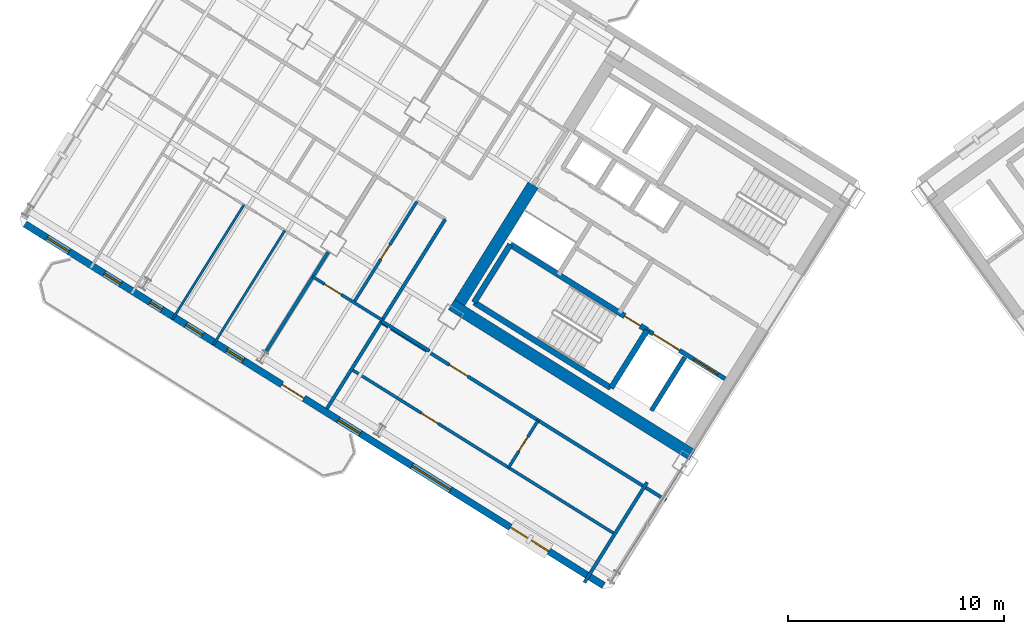
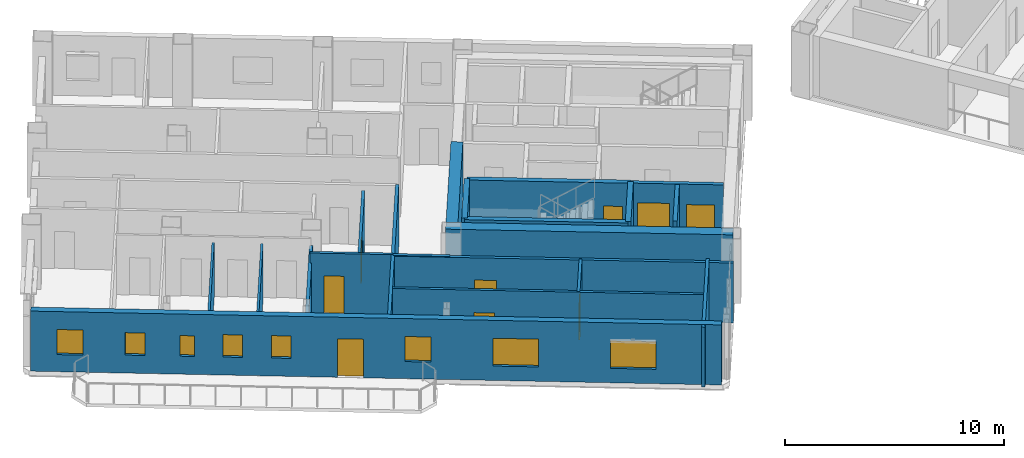
# One storey, part 10 of 19: 20 walls, 9 doors, 8 windows, 17 openings.
"""IFC4 building model written with IfcOpenShell, lengths in metres."""

from ifc_helpers import new_model, si_unit, direction, frame, frame_2d, origin, place, context, subcontext, project, spatial, rectangle, extrude, source, transform, mapped, material, layer, layer_set, type_object, element, fill, save


model = new_model("IFC4")

# Units and contexts
model_context = context("Model", 3, precision=1e-05, world=origin(), true_north=direction((0.0, 1.0)))
body_context = subcontext(model_context, "Body", "Model", "MODEL_VIEW")
ifc_project = project(units=[si_unit("LENGTHUNIT", "METRE"), si_unit("AREAUNIT", "SQUARE_METRE"), si_unit("VOLUMEUNIT", "CUBIC_METRE"), si_unit("PLANEANGLEUNIT", "RADIAN"), si_unit("MASSUNIT", "GRAM", prefix="KILO")], contexts=[model_context])

# Site, building, storey
site_placement = place(None, origin())
site = spatial("IfcSite", under=ifc_project, at=site_placement, CompositionType="ELEMENT")
building_placement = place(site_placement, origin())
building = spatial("IfcBuilding", under=site, at=building_placement, Name="Tlacorven Tower", CompositionType="ELEMENT")
storey_placement = place(building_placement, frame((0.0, 0.0, 147.89990234375)))
storey = spatial("IfcBuildingStorey", under=building, at=storey_placement, Name="L37", CompositionType="ELEMENT", Elevation=147.89990234375)

# Walls
ifc_material_1 = material(Name="Concrete C60/75", Category="concrete")
ifc_layer_1 = layer(ifc_material_1, 0.550048828125)
ifc_layer_set_1 = layer_set([ifc_layer_1], Name="Concrete C60/75")
wall_type_1 = type_object("IfcWallType", Name="WL-COR-550", PredefinedType="SHEAR", material=ifc_layer_set_1)
wall_1_placement = place(storey_placement, frame((33.3662109375, 12.4765625, 0.0), z_axis=(0.0, 0.0, 1.0), x_axis=(-0.848047359947, 0.529920442413, 0.0)))
element("IfcWall", 1, at=wall_1_placement, inside=storey, type_object=wall_type_1, Name="L37 W core shear wall S2", PredefinedType="SHEAR", context=body_context, shape_type="SweptSolid", body=[
    extrude(rectangle(XDim=13.139892578125, YDim=0.550048828125, at=frame_2d((6.56982421875, 0.0))), origin(), (0.0, 0.0, 1.0), 3.35009765625),
])
wall_2_placement = place(storey_placement, frame((26.006591796875, 24.975830078125, 0.0), z_axis=(0.0, 0.0, 1.0), x_axis=(-0.529923795287, -0.848045264823, 0.0)))
element("IfcWall", 2, at=wall_2_placement, inside=storey, type_object=wall_type_1, Name="L37 W core end wall E2.2", PredefinedType="SHEAR", context=body_context, shape_type="SweptSolid", body=[
    extrude(rectangle(XDim=6.425048828125, YDim=0.550048828125, at=frame_2d((3.21240234375, 0.0))), origin(), (0.0, 0.0, 1.0), 3.35009765625),
])
ifc_material_2 = material(Name="Gypsum plasterboard acoustic partition", Category="gypsum")
ifc_layer_2 = layer(ifc_material_2, 0.159912109375)
ifc_layer_set_2 = layer_set([ifc_layer_2], Name="Gypsum plasterboard acoustic partition")
wall_type_2 = type_object("IfcWallType", Name="WL-DEM-160", PredefinedType="PARTITIONING", material=ifc_layer_set_2)
wall_3_placement = place(storey_placement, frame((21.20556640625, 17.29248046875, 0.0), z_axis=(0.0, 0.0, 1.0), x_axis=(-0.848050851465, 0.529914854792, 0.0)))
element("IfcWall", 3, at=wall_3_placement, inside=storey, type_object=wall_type_2, Name="L37 partition 47", PredefinedType="PARTITIONING", context=body_context, shape_type="SweptSolid", body=[
    extrude(rectangle(XDim=2.60986328125, YDim=0.159912109375, at=frame_2d((1.304931640625, 0.0))), origin(), (0.0, 0.0, 1.0), 3.340087890625),
])
wall_4_placement = place(storey_placement, frame((21.9384765625, 23.390625, 0.0), z_axis=(0.0, 0.0, 1.0), x_axis=(-0.529924725692, -0.848044683434, 0.0)))
element("IfcWall", 4, at=wall_4_placement, inside=storey, type_object=wall_type_2, Name="L37 partition 49", PredefinedType="PARTITIONING", context=body_context, shape_type="SweptSolid", body=[
    extrude(rectangle(XDim=10.349853515625, YDim=0.159912109375, at=frame_2d((5.1748046875, 0.0))), origin(), (0.0, 0.0, 1.0), 3.340087890625),
])
wall_5_placement = place(storey_placement, frame((16.518798828125, 21.86962890625, 0.0), z_axis=(0.0, 0.0, 1.0), x_axis=(-0.529922447305, -0.848046107144, 0.0)))
element("IfcWall", 5, at=wall_5_placement, inside=storey, type_object=wall_type_2, Name="L37 WN Demising Wall 1", PredefinedType="PARTITIONING", context=body_context, shape_type="SweptSolid", body=[
    extrude(rectangle(XDim=5.451171875, YDim=0.159912109375, at=frame_2d((2.7255859375, 0.0))), origin(), (0.0, 0.0, 1.0), 2.775146484375),
])

# Wall, opening, door
wall_6_placement = place(storey_placement, frame((32.164306640625, 10.373779296875, 0.0), z_axis=(0.0, 0.0, 1.0), x_axis=(-0.848044107957, 0.529925646633, 0.0)))
wall_6 = element("IfcWall", 6, at=wall_6_placement, inside=storey, type_object=wall_type_2, Name="L37 partition 71", PredefinedType="PARTITIONING", context=body_context, shape_type="SweptSolid", body=[
    extrude(rectangle(XDim=15.570068359375, YDim=0.159912109375, at=frame_2d((7.78515625, 0.0))), origin(), (0.0, 0.0, 1.0), 3.340087890625),
])
opening_1_placement = place(wall_6_placement, frame((10.830078125, 0.0, 0.0)))
opening_1 = element("IfcOpeningElement", 7, at=opening_1_placement, cuts=wall_6, Name="Opening D11", PredefinedType="OPENING", context=body_context, shape_type="SweptSolid", body=[
    extrude(rectangle(XDim=1.0, YDim=2.10009765625, at=frame_2d((0.5, 1.050048828125))), frame((0.0, 0.08984375, 0.0), z_axis=(0.0, -1.0, 0.0), x_axis=(1.0, 0.0, 0.0)), (0.0, 0.0, 1.0), 0.179931640625),
])
ifc_material_3 = material(Name="Fire-rated steel door assembly", Category="steel")
door_type_1 = type_object("IfcDoorType", Name="DR-FLT-FD60-1000", OperationType="NOTDEFINED", PredefinedType="DOOR", material=ifc_material_3)
shared_shape_1 = source(origin(), body_context, "Body", "SweptSolid", [
    extrude(rectangle(XDim=1.0, YDim=2.10009765625, at=frame_2d((0.5, 1.050048828125))), frame((0.0, 0.02490234375, 0.0), z_axis=(0.0, -1.0, 0.0), x_axis=(1.0, 0.0, 0.0)), (0.0, 0.0, 1.0), 0.050048828125),
])
door_1_placement = place(opening_1_placement, origin())
door_1 = element("IfcDoor", 8, at=door_1_placement, inside=storey, type_object=door_type_1, Name="L37 door 045", OperationType="SINGLE_SWING_LEFT", OverallHeight=2.10009765625, OverallWidth=1.0, PredefinedType="DOOR", context=body_context, shape_type="MappedRepresentation", body=[
    mapped(shared_shape_1, transform((0.0, 0.0, 0.0), scale=1.0)),
])
fill(opening_1, door_1)

# Wall
wall_7_placement = place(storey_placement, frame((31.282470703125, 11.2080078125, 0.0), z_axis=(0.0, 0.0, 1.0), x_axis=(-0.529938869374, -0.84803584519, 0.0)))
element("IfcWall", 9, at=wall_7_placement, inside=storey, type_object=wall_type_2, Name="L37 WC West Throat Wall", PredefinedType="PARTITIONING", context=body_context, shape_type="SweptSolid", body=[
    extrude(rectangle(XDim=5.47998046875, YDim=0.159912109375, at=frame_2d((2.739990234375, 0.0))), origin(), (0.0, 0.0, 1.0), 3.340087890625),
])

# Wall, openings, door, windows
ifc_material_4 = material(Name="Precast concrete C45/55", Category="concrete")
ifc_layer_3 = layer(ifc_material_4, 0.320068359375)
ifc_layer_set_3 = layer_set([ifc_layer_3], Name="Precast concrete C45/55")
wall_type_3 = type_object("IfcWallType", Name="WL-EXT-320", PredefinedType="STANDARD", material=ifc_layer_set_3)
wall_8_placement = place(storey_placement, frame((29.267822265625, 6.429443359375, 0.0), z_axis=(0.0, 0.0, 1.0), x_axis=(-0.848049971435, 0.529916263149, 0.0)))
wall_8 = element("IfcWall", 10, at=wall_8_placement, inside=storey, type_object=wall_type_3, Name="L37 Masonry-Frame Recessed Facade Wall 1", PredefinedType="STANDARD", context=body_context, shape_type="SweptSolid", body=[
    extrude(rectangle(XDim=31.587646484375, YDim=0.320068359375, at=frame_2d((15.7939453125, 0.0))), origin(), (0.0, 0.0, 1.0), 3.35009765625),
])
opening_2_placement = place(wall_8_placement, frame((16.36181640625, 0.0, 0.0)))
opening_2 = element("IfcOpeningElement", 11, at=opening_2_placement, cuts=wall_8, Name="Opening D05", PredefinedType="OPENING", context=body_context, shape_type="SweptSolid", body=[
    extrude(rectangle(XDim=1.199951171875, YDim=2.14990234375, at=frame_2d((0.60009765625, 1.074951171875))), frame((0.0, 0.169921875, 0.0), z_axis=(0.0, -1.0, 0.0), x_axis=(1.0, 0.0, 0.0)), (0.0, 0.0, 1.0), 0.340087890625),
])
opening_3_placement = place(wall_8_placement, frame((2.98876953125, 0.0, 0.800048828125)))
opening_3 = element("IfcOpeningElement", 12, at=opening_3_placement, cuts=wall_8, Name="Opening WN04", PredefinedType="OPENING", context=body_context, shape_type="SweptSolid", body=[
    extrude(rectangle(XDim=2.10009765625, YDim=1.550048828125, at=frame_2d((1.050048828125, 0.77490234375))), frame((0.0, 0.169921875, 0.0), z_axis=(0.0, -1.0, 0.0), x_axis=(1.0, 0.0, 0.0)), (0.0, 0.0, 1.0), 0.340087890625),
])
opening_4_placement = place(wall_8_placement, frame((8.358642578125, 0.0, 0.800048828125)))
opening_4 = element("IfcOpeningElement", 13, at=opening_4_placement, cuts=wall_8, Name="Opening WN04", PredefinedType="OPENING", context=body_context, shape_type="SweptSolid", body=[
    extrude(rectangle(XDim=2.10009765625, YDim=1.550048828125, at=frame_2d((1.050048828125, 0.77490234375))), frame((0.0, 0.169921875, 0.0), z_axis=(0.0, -1.0, 0.0), x_axis=(1.0, 0.0, 0.0)), (0.0, 0.0, 1.0), 0.340087890625),
])
opening_5_placement = place(wall_8_placement, frame((13.28369140625, 0.0, 0.949951171875)))
opening_5 = element("IfcOpeningElement", 14, at=opening_5_placement, cuts=wall_8, Name="Opening WN03", PredefinedType="OPENING", context=body_context, shape_type="SweptSolid", body=[
    extrude(rectangle(XDim=1.199951171875, YDim=1.39990234375, at=frame_2d((0.60009765625, 0.699951171875))), frame((0.0, 0.169921875, 0.0), z_axis=(0.0, -1.0, 0.0), x_axis=(1.0, 0.0, 0.0)), (0.0, 0.0, 1.0), 0.340087890625),
])
opening_6_placement = place(wall_8_placement, frame((29.18798828125, 0.0, 0.949951171875)))
opening_6 = element("IfcOpeningElement", 15, at=opening_6_placement, cuts=wall_8, Name="Opening WN03", PredefinedType="OPENING", context=body_context, shape_type="SweptSolid", body=[
    extrude(rectangle(XDim=1.199951171875, YDim=1.39990234375, at=frame_2d((0.60009765625, 0.699951171875))), frame((0.0, 0.169921875, 0.0), z_axis=(0.0, -1.0, 0.0), x_axis=(1.0, 0.0, 0.0)), (0.0, 0.0, 1.0), 0.340087890625),
])
opening_7_placement = place(wall_8_placement, frame((19.673583984375, 0.0, 1.0)))
opening_7 = element("IfcOpeningElement", 16, at=opening_7_placement, cuts=wall_8, Name="Opening WN05", PredefinedType="OPENING", context=body_context, shape_type="SweptSolid", body=[
    extrude(rectangle(XDim=0.89990234375, YDim=1.25, at=frame_2d((0.449951171875, 0.625))), frame((0.0, 0.169921875, 0.0), z_axis=(0.0, -1.0, 0.0), x_axis=(1.0, 0.0, 0.0)), (0.0, 0.0, 1.0), 0.340087890625),
])
opening_8_placement = place(wall_8_placement, frame((21.896240234375, 0.0, 1.0)))
opening_8 = element("IfcOpeningElement", 17, at=opening_8_placement, cuts=wall_8, Name="Opening WN05", PredefinedType="OPENING", context=body_context, shape_type="SweptSolid", body=[
    extrude(rectangle(XDim=0.89990234375, YDim=1.25, at=frame_2d((0.449951171875, 0.625))), frame((0.0, 0.169921875, 0.0), z_axis=(0.0, -1.0, 0.0), x_axis=(1.0, 0.0, 0.0)), (0.0, 0.0, 1.0), 0.340087890625),
])
opening_9_placement = place(wall_8_placement, frame((24.106201171875, 0.0, 1.0)))
opening_9 = element("IfcOpeningElement", 18, at=opening_9_placement, cuts=wall_8, Name="Opening WN21", PredefinedType="OPENING", context=body_context, shape_type="SweptSolid", body=[
    extrude(rectangle(XDim=0.64990234375, YDim=1.14990234375, at=frame_2d((0.324951171875, 0.574951171875))), frame((0.0, 0.169921875, 0.0), z_axis=(0.0, -1.0, 0.0), x_axis=(1.0, 0.0, 0.0)), (0.0, 0.0, 1.0), 0.340087890625),
])
opening_10_placement = place(wall_8_placement, frame((26.3662109375, 0.0, 1.0)))
opening_10 = element("IfcOpeningElement", 19, at=opening_10_placement, cuts=wall_8, Name="Opening WN05", PredefinedType="OPENING", context=body_context, shape_type="SweptSolid", body=[
    extrude(rectangle(XDim=0.89990234375, YDim=1.25, at=frame_2d((0.449951171875, 0.625))), frame((0.0, 0.169921875, 0.0), z_axis=(0.0, -1.0, 0.0), x_axis=(1.0, 0.0, 0.0)), (0.0, 0.0, 1.0), 0.340087890625),
])
ifc_material_5 = material(Name="Powder-coated aluminium and timber door", Category="wood")
door_type_2 = type_object("IfcDoorType", Name="DR-EXT-BALC-1200", OperationType="NOTDEFINED", PredefinedType="DOOR", material=ifc_material_5)
shared_shape_2 = source(origin(), body_context, "Body", "SweptSolid", [
    extrude(rectangle(XDim=1.199951171875, YDim=2.14990234375, at=frame_2d((0.60009765625, 1.074951171875))), frame((0.0, 0.02490234375, 0.0), z_axis=(0.0, -1.0, 0.0), x_axis=(1.0, 0.0, 0.0)), (0.0, 0.0, 1.0), 0.050048828125),
])
door_2_placement = place(opening_2_placement, origin())
door_2 = element("IfcDoor", 20, at=door_2_placement, inside=storey, type_object=door_type_2, Name="L37 Outdoor Access Door BAL-L37-W-OUT", OperationType="SINGLE_SWING_LEFT", OverallHeight=2.14990234375, OverallWidth=1.199951171875, PredefinedType="DOOR", context=body_context, shape_type="MappedRepresentation", body=[
    mapped(shared_shape_2, transform((0.0, 0.0, 0.0), scale=1.0)),
])
fill(opening_2, door_2)
ifc_material_6 = material(Name="Dark solar low-E double glazing in anodised aluminium frame", Category="aluminium")
window_type_1 = type_object("IfcWindowType", Name="WN-APT-2100X1750", PartitioningType="SINGLE_PANEL", PredefinedType="WINDOW", material=ifc_material_6)
shared_shape_3 = source(origin(), body_context, "Body", "SweptSolid", [
    extrude(rectangle(XDim=2.10009765625, YDim=1.550048828125, at=frame_2d((1.050048828125, 0.77490234375))), frame((0.0, 0.030029296875, 0.0), z_axis=(0.0, -1.0, 0.0), x_axis=(1.0, 0.0, 0.0)), (0.0, 0.0, 1.0), 0.06005859375),
])
window_1_placement = place(opening_3_placement, origin())
window_1 = element("IfcWindow", 21, at=window_1_placement, inside=storey, type_object=window_type_1, Name="L37 Recessed Masonry-Frame Window L37-01.1", OverallHeight=1.550048828125, OverallWidth=2.10009765625, PartitioningType="SINGLE_PANEL", PredefinedType="WINDOW", context=body_context, shape_type="MappedRepresentation", body=[
    mapped(shared_shape_3, transform((0.0, 0.0, 0.0), scale=1.0)),
])
fill(opening_3, window_1)
window_2_placement = place(opening_4_placement, origin())
window_2 = element("IfcWindow", 22, at=window_2_placement, inside=storey, type_object=window_type_1, Name="L37 Recessed Masonry-Frame Window L37-01.2", OverallHeight=1.550048828125, OverallWidth=2.10009765625, PartitioningType="SINGLE_PANEL", PredefinedType="WINDOW", context=body_context, shape_type="MappedRepresentation", body=[
    mapped(shared_shape_3, transform((0.0, 0.0, 0.0), scale=1.0)),
])
fill(opening_4, window_2)
window_type_2 = type_object("IfcWindowType", Name="WN-APT-1200X1500", PartitioningType="SINGLE_PANEL", PredefinedType="WINDOW", material=ifc_material_6)
shared_shape_4 = source(origin(), body_context, "Body", "SweptSolid", [
    extrude(rectangle(XDim=1.199951171875, YDim=1.39990234375, at=frame_2d((0.60009765625, 0.699951171875))), frame((0.0, 0.030029296875, 0.0), z_axis=(0.0, -1.0, 0.0), x_axis=(1.0, 0.0, 0.0)), (0.0, 0.0, 1.0), 0.06005859375),
])
window_3_placement = place(opening_5_placement, origin())
window_3 = element("IfcWindow", 23, at=window_3_placement, inside=storey, type_object=window_type_2, Name="L37 Recessed Masonry-Frame Window L37-01.3", OverallHeight=1.39990234375, OverallWidth=1.199951171875, PartitioningType="SINGLE_PANEL", PredefinedType="WINDOW", context=body_context, shape_type="MappedRepresentation", body=[
    mapped(shared_shape_4, transform((0.0, 0.0, 0.0), scale=1.0)),
])
fill(opening_5, window_3)
window_4_placement = place(opening_6_placement, origin())
window_4 = element("IfcWindow", 24, at=window_4_placement, inside=storey, type_object=window_type_2, Name="L37 Recessed Masonry-Frame Window L37-01.4", OverallHeight=1.39990234375, OverallWidth=1.199951171875, PartitioningType="SINGLE_PANEL", PredefinedType="WINDOW", context=body_context, shape_type="MappedRepresentation", body=[
    mapped(shared_shape_4, transform((0.0, 0.0, 0.0), scale=1.0)),
])
fill(opening_6, window_4)
window_type_3 = type_object("IfcWindowType", Name="WN-APT-0900X1350", PartitioningType="SINGLE_PANEL", PredefinedType="WINDOW", material=ifc_material_6)
shared_shape_5 = source(origin(), body_context, "Body", "SweptSolid", [
    extrude(rectangle(XDim=0.89990234375, YDim=1.25, at=frame_2d((0.449951171875, 0.625))), frame((0.0, 0.030029296875, 0.0), z_axis=(0.0, -1.0, 0.0), x_axis=(1.0, 0.0, 0.0)), (0.0, 0.0, 1.0), 0.06005859375),
])
window_5_placement = place(opening_7_placement, origin())
window_5 = element("IfcWindow", 25, at=window_5_placement, inside=storey, type_object=window_type_3, Name="L37 Dwelling Daylight Window L37-U02-BD1", OverallHeight=1.25, OverallWidth=0.89990234375, PartitioningType="SINGLE_PANEL", PredefinedType="WINDOW", context=body_context, shape_type="MappedRepresentation", body=[
    mapped(shared_shape_5, transform((0.0, 0.0, 0.0), scale=1.0)),
])
fill(opening_7, window_5)
window_6_placement = place(opening_8_placement, origin())
window_6 = element("IfcWindow", 26, at=window_6_placement, inside=storey, type_object=window_type_3, Name="L37 Dwelling Daylight Window L37-U02-BD2", OverallHeight=1.25, OverallWidth=0.89990234375, PartitioningType="SINGLE_PANEL", PredefinedType="WINDOW", context=body_context, shape_type="MappedRepresentation", body=[
    mapped(shared_shape_5, transform((0.0, 0.0, 0.0), scale=1.0)),
])
fill(opening_8, window_6)
window_7_placement = place(opening_10_placement, origin())
window_7 = element("IfcWindow", 27, at=window_7_placement, inside=storey, type_object=window_type_3, Name="L37 Dwelling Daylight Window L37-U02-BD4", OverallHeight=1.25, OverallWidth=0.89990234375, PartitioningType="SINGLE_PANEL", PredefinedType="WINDOW", context=body_context, shape_type="MappedRepresentation", body=[
    mapped(shared_shape_5, transform((0.0, 0.0, 0.0), scale=1.0)),
])
fill(opening_10, window_7)
window_type_4 = type_object("IfcWindowType", Name="WN-APT-0650X1150", PartitioningType="SINGLE_PANEL", PredefinedType="WINDOW", material=ifc_material_6)
shared_shape_6 = source(origin(), body_context, "Body", "SweptSolid", [
    extrude(rectangle(XDim=0.64990234375, YDim=1.14990234375, at=frame_2d((0.324951171875, 0.574951171875))), frame((0.0, 0.030029296875, 0.0), z_axis=(0.0, -1.0, 0.0), x_axis=(1.0, 0.0, 0.0)), (0.0, 0.0, 1.0), 0.06005859375),
])
window_8_placement = place(opening_9_placement, origin())
window_8 = element("IfcWindow", 28, at=window_8_placement, inside=storey, type_object=window_type_4, Name="L37 Dwelling Daylight Window L37-U02-BD3", OverallHeight=1.14990234375, OverallWidth=0.64990234375, PartitioningType="SINGLE_PANEL", PredefinedType="WINDOW", context=body_context, shape_type="MappedRepresentation", body=[
    mapped(shared_shape_6, transform((0.0, 0.0, 0.0), scale=1.0)),
])
fill(opening_9, window_8)

# Walls
ifc_material_7 = material(Name="Gypsum plasterboard partition", Category="gypsum")
ifc_layer_4 = layer(ifc_material_7, 0.110107421875)
ifc_layer_set_4 = layer_set([ifc_layer_4], Name="Gypsum plasterboard partition")
wall_type_4 = type_object("IfcWallType", Name="WL-INT-110", PredefinedType="PARTITIONING", material=ifc_layer_set_4)
for number, where, z_axis, x_axis, name in (
    (29, (14.5078125, 22.869140625, 0.0), (0.0, 0.0, 1.0), (-0.529900466106, -0.848059842241, 0.0), "L37 partition 62"),
    (30, (12.612548828125, 24.053466796875, 0.0), (0.0, 0.0, 1.0), (-0.529900466106, -0.848059842241, 0.0), "L37 partition 63"),
):
    element("IfcWall", number, at=place(storey_placement, frame(where, z_axis=z_axis, x_axis=x_axis)), inside=storey, type_object=wall_type_4, Name=name, PredefinedType="PARTITIONING", context=body_context, shape_type="SweptSolid", body=[
        extrude(rectangle(XDim=6.240234375, YDim=0.110107421875, at=frame_2d((3.1201171875, 0.0))), origin(), (0.0, 0.0, 1.0), 2.9951171875),
    ])

# Wall, opening, door
ifc_material_8 = material(Name="Moisture-resistant gypsum plumbing wall", Category="gypsum")
ifc_layer_5 = layer(ifc_material_8, 0.139892578125)
ifc_layer_set_5 = layer_set([ifc_layer_5], Name="Moisture-resistant gypsum plumbing wall")
wall_type_5 = type_object("IfcWallType", Name="WL-PLM-140", PredefinedType="PLUMBINGWALL", material=ifc_layer_set_5)
wall_9_placement = place(storey_placement, frame((19.0185546875, 18.718017578125, 0.0), z_axis=(0.0, 0.0, 1.0), x_axis=(-0.848059820872, 0.529900500304, 0.0)))
wall_9 = element("IfcWall", 31, at=wall_9_placement, inside=storey, type_object=wall_type_5, Name="L37 partition 54", PredefinedType="PLUMBINGWALL", context=body_context, shape_type="SweptSolid", body=[
    extrude(rectangle(XDim=3.7900390625, YDim=0.139892578125, at=frame_2d((1.89501953125, 0.0))), origin(), (0.0, 0.0, 1.0), 3.340087890625),
])
opening_11_placement = place(wall_9_placement, frame((2.22998046875, 0.0, 0.0)))
opening_11 = element("IfcOpeningElement", 32, at=opening_11_placement, cuts=wall_9, Name="Opening D12", PredefinedType="OPENING", context=body_context, shape_type="SweptSolid", body=[
    extrude(rectangle(XDim=0.919921875, YDim=2.080078125, at=frame_2d((0.4599609375, 1.0400390625))), frame((0.0, 0.080078125, 0.0), z_axis=(0.0, -1.0, 0.0), x_axis=(1.0, 0.0, 0.0)), (0.0, 0.0, 1.0), 0.159912109375),
])
door_type_3 = type_object("IfcDoorType", Name="DR-INT-ROOM-0920", OperationType="NOTDEFINED", PredefinedType="DOOR", material=ifc_material_5)
shared_shape_7 = source(origin(), body_context, "Body", "SweptSolid", [
    extrude(rectangle(XDim=0.919921875, YDim=2.080078125, at=frame_2d((0.4599609375, 1.0400390625))), frame((0.0, 0.02490234375, 0.0), z_axis=(0.0, -1.0, 0.0), x_axis=(1.0, 0.0, 0.0)), (0.0, 0.0, 1.0), 0.050048828125),
])
door_3_placement = place(opening_11_placement, origin())
door_3 = element("IfcDoor", 33, at=door_3_placement, inside=storey, type_object=door_type_3, Name="L37 door 026", OperationType="SINGLE_SWING_RIGHT", OverallHeight=2.080078125, OverallWidth=0.919921875, PredefinedType="DOOR", context=body_context, shape_type="MappedRepresentation", body=[
    mapped(shared_shape_7, transform((0.0, 0.0, 0.0), scale=1.0)),
])
fill(opening_11, door_3)

wall_10_placement = place(storey_placement, frame((20.6240234375, 24.212158203125, 0.0), z_axis=(0.0, 0.0, 1.0), x_axis=(-0.529919283494, -0.848048084121, 0.0)))
wall_10 = element("IfcWall", 34, at=wall_10_placement, inside=storey, type_object=wall_type_5, Name="L37 partition 55", PredefinedType="PLUMBINGWALL", context=body_context, shape_type="SweptSolid", body=[
    extrude(rectangle(XDim=5.510009765625, YDim=0.139892578125, at=frame_2d((2.7548828125, 0.0))), origin(), (0.0, 0.0, 1.0), 2.9951171875),
])
opening_12_placement = place(wall_10_placement, frame((2.364990234375, 0.0, 0.0)))
opening_12 = element("IfcOpeningElement", 35, at=opening_12_placement, cuts=wall_10, Name="Opening D22", PredefinedType="OPENING", context=body_context, shape_type="SweptSolid", body=[
    extrude(rectangle(XDim=0.780029296875, YDim=2.050048828125, at=frame_2d((0.39013671875, 1.02490234375))), frame((0.0, 0.080078125, 0.0), z_axis=(0.0, -1.0, 0.0), x_axis=(1.0, 0.0, 0.0)), (0.0, 0.0, 1.0), 0.159912109375),
])
door_type_4 = type_object("IfcDoorType", Name="DR-INT-WET-0780", OperationType="NOTDEFINED", PredefinedType="DOOR", material=ifc_material_5)
shared_shape_8 = source(origin(), body_context, "Body", "SweptSolid", [
    extrude(rectangle(XDim=0.780029296875, YDim=2.050048828125, at=frame_2d((0.39013671875, 1.02490234375))), frame((0.0, 0.02490234375, 0.0), z_axis=(0.0, -1.0, 0.0), x_axis=(1.0, 0.0, 0.0)), (0.0, 0.0, 1.0), 0.050048828125),
])
door_4_placement = place(opening_12_placement, origin())
door_4 = element("IfcDoor", 36, at=door_4_placement, inside=storey, type_object=door_type_4, Name="L37 door 027", OperationType="SINGLE_SWING_LEFT", OverallHeight=2.050048828125, OverallWidth=0.780029296875, PredefinedType="DOOR", context=body_context, shape_type="MappedRepresentation", body=[
    mapped(shared_shape_8, transform((0.0, 0.0, 0.0), scale=1.0)),
])
fill(opening_12, door_4)

wall_11_placement = place(storey_placement, frame((29.72021484375, 8.85888671875, 0.0), z_axis=(0.0, 0.0, 1.0), x_axis=(-0.848049134363, 0.529917602752, 0.0)))
wall_11 = element("IfcWall", 37, at=wall_11_placement, inside=storey, type_object=wall_type_5, Name="L37 partition 73", PredefinedType="PLUMBINGWALL", context=body_context, shape_type="SweptSolid", body=[
    extrude(rectangle(XDim=14.300048828125, YDim=0.139892578125, at=frame_2d((7.14990234375, 0.0))), origin(), (0.0, 0.0, 1.0), 3.340087890625),
])
opening_13_placement = place(wall_11_placement, frame((9.570068359375, 0.0, 0.0)))
opening_13 = element("IfcOpeningElement", 38, at=opening_13_placement, cuts=wall_11, Name="Opening D12", PredefinedType="OPENING", context=body_context, shape_type="SweptSolid", body=[
    extrude(rectangle(XDim=0.919921875, YDim=2.080078125, at=frame_2d((0.4599609375, 1.0400390625))), frame((0.0, 0.080078125, 0.0), z_axis=(0.0, -1.0, 0.0), x_axis=(1.0, 0.0, 0.0)), (0.0, 0.0, 1.0), 0.159912109375),
])
door_5_placement = place(opening_13_placement, origin())
door_5 = element("IfcDoor", 39, at=door_5_placement, inside=storey, type_object=door_type_3, Name="L37 door 046", OperationType="SINGLE_SWING_RIGHT", OverallHeight=2.080078125, OverallWidth=0.919921875, PredefinedType="DOOR", context=body_context, shape_type="MappedRepresentation", body=[
    mapped(shared_shape_7, transform((0.0, 0.0, 0.0), scale=1.0)),
])
fill(opening_13, door_5)

wall_12_placement = place(storey_placement, frame((26.236572265625, 14.077880859375, 0.0), z_axis=(0.0, 0.0, 1.0), x_axis=(-0.52995640672, -0.848024885824, 0.0)))
wall_12 = element("IfcWall", 40, at=wall_12_placement, inside=storey, type_object=wall_type_5, Name="L37 partition 74", PredefinedType="PLUMBINGWALL", context=body_context, shape_type="SweptSolid", body=[
    extrude(rectangle(XDim=2.579833984375, YDim=0.139892578125, at=frame_2d((1.2900390625, 0.0))), origin(), (0.0, 0.0, 1.0), 3.340087890625),
])
opening_14_placement = place(wall_12_placement, frame((0.89990234375, 0.0, 0.0)))
opening_14 = element("IfcOpeningElement", 41, at=opening_14_placement, cuts=wall_12, Name="Opening D22", PredefinedType="OPENING", context=body_context, shape_type="SweptSolid", body=[
    extrude(rectangle(XDim=0.780029296875, YDim=2.050048828125, at=frame_2d((0.39013671875, 1.02490234375))), frame((0.0, 0.080078125, 0.0), z_axis=(0.0, -1.0, 0.0), x_axis=(1.0, 0.0, 0.0)), (0.0, 0.0, 1.0), 0.159912109375),
])
door_6_placement = place(opening_14_placement, origin())
door_6 = element("IfcDoor", 42, at=door_6_placement, inside=storey, type_object=door_type_4, Name="L37 door 047", OperationType="SINGLE_SWING_LEFT", OverallHeight=2.050048828125, OverallWidth=0.780029296875, PredefinedType="DOOR", context=body_context, shape_type="MappedRepresentation", body=[
    mapped(shared_shape_8, transform((0.0, 0.0, 0.0), scale=1.0)),
])
fill(opening_14, door_6)

# Wall, openings, doors
ifc_material_9 = material(Name="Concrete C40/50", Category="concrete")
ifc_layer_6 = layer(ifc_material_9, 0.199951171875)
ifc_layer_set_6 = layer_set([ifc_layer_6], Name="Concrete C40/50")
wall_type_6 = type_object("IfcWallType", Name="WL-SHF-200", PredefinedType="STANDARD", material=ifc_layer_set_6)
wall_13_placement = place(storey_placement, frame((34.890625, 16.0048828125, 0.0), z_axis=(0.0, 0.0, 1.0), x_axis=(-0.848062873452, 0.529895614884, 0.0)))
wall_13 = element("IfcWall", 43, at=wall_13_placement, inside=storey, type_object=wall_type_6, Name="L37 Core W Firefighting Lift Shaft Front Wall", PredefinedType="STANDARD", context=body_context, shape_type="SweptSolid", body=[
    extrude(rectangle(XDim=4.248046875, YDim=0.199951171875, at=frame_2d((2.1240234375, 0.0))), origin(), (0.0, 0.0, 1.0), 3.340087890625),
])
opening_15_placement = place(wall_13_placement, frame((0.39794921875, 0.0, 0.0)))
opening_15 = element("IfcOpeningElement", 44, at=opening_15_placement, cuts=wall_13, Name="Opening LD03", PredefinedType="OPENING", context=body_context, shape_type="SweptSolid", body=[
    extrude(rectangle(XDim=1.300048828125, YDim=2.199951171875, at=frame_2d((0.64990234375, 1.10009765625))), frame((0.0, 0.10986328125, 0.0), z_axis=(0.0, -1.0, 0.0), x_axis=(1.0, 0.0, 0.0)), (0.0, 0.0, 1.0), 0.219970703125),
])
opening_16_placement = place(wall_13_placement, frame((2.472900390625, 0.0, 0.0)))
opening_16 = element("IfcOpeningElement", 45, at=opening_16_placement, cuts=wall_13, Name="Opening LD04", PredefinedType="OPENING", context=body_context, shape_type="SweptSolid", body=[
    extrude(rectangle(XDim=1.449951171875, YDim=2.25, at=frame_2d((0.72509765625, 1.125))), frame((0.0, 0.10986328125, 0.0), z_axis=(0.0, -1.0, 0.0), x_axis=(1.0, 0.0, 0.0)), (0.0, 0.0, 1.0), 0.219970703125),
])
door_type_5 = type_object("IfcDoorType", Name="DR-LFT-SLID-1300", OperationType="DOUBLE_DOOR_SLIDING", PredefinedType="DOOR", material=ifc_material_3)
shared_shape_9 = source(origin(), body_context, "Body", "SweptSolid", [
    extrude(rectangle(XDim=1.300048828125, YDim=2.199951171875, at=frame_2d((0.64990234375, 1.10009765625))), frame((0.0, 0.02490234375, 0.0), z_axis=(0.0, -1.0, 0.0), x_axis=(1.0, 0.0, 0.0)), (0.0, 0.0, 1.0), 0.050048828125),
])
door_7_placement = place(opening_15_placement, origin())
door_7 = element("IfcDoor", 46, at=door_7_placement, inside=storey, type_object=door_type_5, Name="L37 Lift FFL-W1 Sliding Landing Door", OperationType="DOUBLE_DOOR_SLIDING", OverallHeight=2.199951171875, OverallWidth=1.300048828125, PredefinedType="DOOR", context=body_context, shape_type="MappedRepresentation", body=[
    mapped(shared_shape_9, transform((0.0, 0.0, 0.0), scale=1.0)),
])
fill(opening_15, door_7)
door_type_6 = type_object("IfcDoorType", Name="DR-LFT-SLID-1450", OperationType="DOUBLE_DOOR_SLIDING", PredefinedType="DOOR", material=ifc_material_3)
shared_shape_10 = source(origin(), body_context, "Body", "SweptSolid", [
    extrude(rectangle(XDim=1.449951171875, YDim=2.25, at=frame_2d((0.72509765625, 1.125))), frame((0.0, 0.02490234375, 0.0), z_axis=(0.0, -1.0, 0.0), x_axis=(1.0, 0.0, 0.0)), (0.0, 0.0, 1.0), 0.050048828125),
])
door_8_placement = place(opening_16_placement, origin())
door_8 = element("IfcDoor", 47, at=door_8_placement, inside=storey, type_object=door_type_6, Name="L37 Lift SVL-W1 Sliding Landing Door", OperationType="DOUBLE_DOOR_SLIDING", OverallHeight=2.25, OverallWidth=1.449951171875, PredefinedType="DOOR", context=body_context, shape_type="MappedRepresentation", body=[
    mapped(shared_shape_10, transform((0.0, 0.0, 0.0), scale=1.0)),
])
fill(opening_16, door_8)

# Walls
wall_14_placement = place(storey_placement, frame((33.02880859375, 17.003173828125, 0.0), z_axis=(0.0, 0.0, 1.0), x_axis=(-0.529916267533, -0.848049968695, 0.0)))
element("IfcWall", 48, at=wall_14_placement, inside=storey, type_object=wall_type_6, Name="L37 partition 14", PredefinedType="STANDARD", context=body_context, shape_type="SweptSolid", body=[
    extrude(rectangle(XDim=2.919921875, YDim=0.199951171875, at=frame_2d((1.4599609375, 0.0))), origin(), (0.0, 0.0, 1.0), 3.340087890625),
])
ifc_material_10 = material(Name="Concrete C50/60", Category="concrete")
ifc_layer_7 = layer(ifc_material_10, 0.260009765625)
ifc_layer_set_7 = layer_set([ifc_layer_7], Name="Concrete C50/60")
wall_type_7 = type_object("IfcWallType", Name="WL-STW-260", PredefinedType="SHEAR", material=ifc_layer_set_7)
wall_15_placement = place(storey_placement, frame((29.60498046875, 15.581298828125, 0.0), z_axis=(0.0, 0.0, 1.0), x_axis=(-0.848036911448, 0.529937163087, 0.0)))
element("IfcWall", 49, at=wall_15_placement, inside=storey, type_object=wall_type_7, Name="L37 Stair W1 Far Shear Wall", PredefinedType="SHEAR", context=body_context, shape_type="SweptSolid", body=[
    extrude(rectangle(XDim=7.4599609375, YDim=0.260009765625, at=frame_2d((3.72998046875, 0.0))), origin(), (0.0, 0.0, 1.0), 3.35009765625),
])

# Wall, opening, door
wall_16_placement = place(storey_placement, frame((31.279541015625, 18.26123046875, 0.0), z_axis=(0.0, 0.0, 1.0), x_axis=(-0.848051618787, 0.529913626805, 0.0)))
wall_16 = element("IfcWall", 50, at=wall_16_placement, inside=storey, type_object=wall_type_7, Name="L37 Stair W1 Lobby Shear Wall", PredefinedType="SHEAR", context=body_context, shape_type="SweptSolid", body=[
    extrude(rectangle(XDim=7.4599609375, YDim=0.260009765625, at=frame_2d((3.72998046875, 0.0))), origin(), (0.0, 0.0, 1.0), 3.35009765625),
])
opening_17_placement = place(wall_16_placement, frame((0.360107421875, 0.0, 0.0)))
opening_17 = element("IfcOpeningElement", 51, at=opening_17_placement, cuts=wall_16, Name="Opening D19", PredefinedType="OPENING", context=body_context, shape_type="SweptSolid", body=[
    extrude(rectangle(XDim=0.860107421875, YDim=2.050048828125, at=frame_2d((0.43017578125, 1.02490234375))), frame((0.0, 0.14013671875, 0.0), z_axis=(0.0, -1.0, 0.0), x_axis=(1.0, 0.0, 0.0)), (0.0, 0.0, 1.0), 0.280029296875),
])
door_type_7 = type_object("IfcDoorType", Name="DR-RSR-FD60-0860", OperationType="NOTDEFINED", PredefinedType="DOOR", material=ifc_material_3)
shared_shape_11 = source(origin(), body_context, "Body", "SweptSolid", [
    extrude(rectangle(XDim=0.860107421875, YDim=2.050048828125, at=frame_2d((0.43017578125, 1.02490234375))), frame((0.0, 0.02490234375, 0.0), z_axis=(0.0, -1.0, 0.0), x_axis=(1.0, 0.0, 0.0)), (0.0, 0.0, 1.0), 0.050048828125),
])
door_9_placement = place(opening_17_placement, frame((0.860107421875, 0.0, 0.0), z_axis=(0.0, 0.0, 1.0), x_axis=(-1.0, 0.0, 0.0)))
door_9 = element("IfcDoor", 52, at=door_9_placement, inside=storey, type_object=door_type_7, Name="L37 Exit Stair W1 Fire Door", OperationType="SINGLE_SWING_LEFT", OverallHeight=2.050048828125, OverallWidth=0.860107421875, PredefinedType="DOOR", context=body_context, shape_type="MappedRepresentation", body=[
    mapped(shared_shape_11, transform((0.0, 0.0, 0.0), scale=1.0)),
])
fill(opening_17, door_9)

# Walls
wall_17_placement = place(storey_placement, frame((31.2880859375, 18.255859375, 0.0), z_axis=(0.0, 0.0, 1.0), x_axis=(-0.529943379326, -0.848033026897, 0.0)))
element("IfcWall", 53, at=wall_17_placement, inside=storey, type_object=wall_type_7, Name="L37 Stair W1 West Shear Wall", PredefinedType="SHEAR", context=body_context, shape_type="SweptSolid", body=[
    extrude(rectangle(XDim=3.159912109375, YDim=0.260009765625, at=frame_2d((1.580078125, 0.0))), origin(), (0.0, 0.0, 1.0), 3.35009765625),
])
wall_18_placement = place(storey_placement, frame((24.944580078125, 22.2197265625, 0.0), z_axis=(0.0, 0.0, 1.0), x_axis=(-0.529908658664, -0.84805472316, 0.0)))
element("IfcWall", 54, at=wall_18_placement, inside=storey, type_object=wall_type_7, Name="L37 Stair W1 East Shear Wall", PredefinedType="SHEAR", context=body_context, shape_type="SweptSolid", body=[
    extrude(rectangle(XDim=3.16015625, YDim=0.260009765625, at=frame_2d((1.580078125, 0.0))), origin(), (0.0, 0.0, 1.0), 3.35009765625),
])

save(model, "model.ifc")
